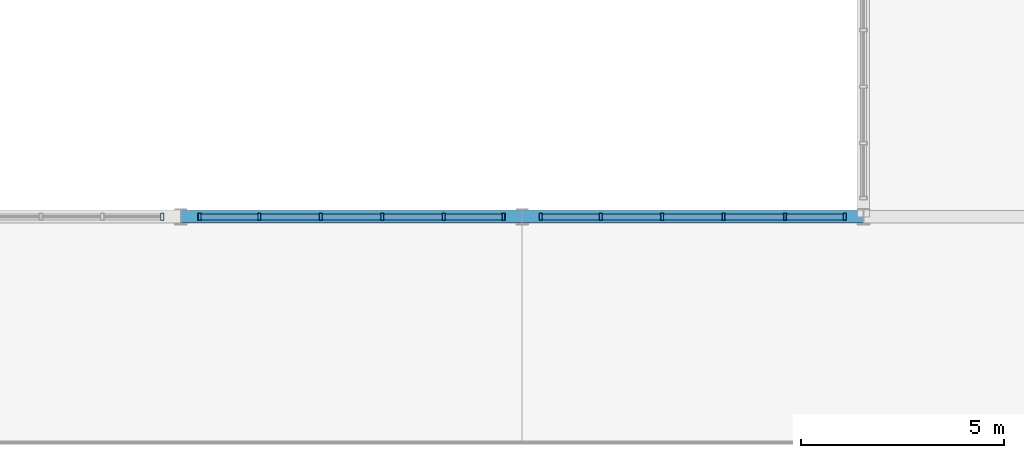
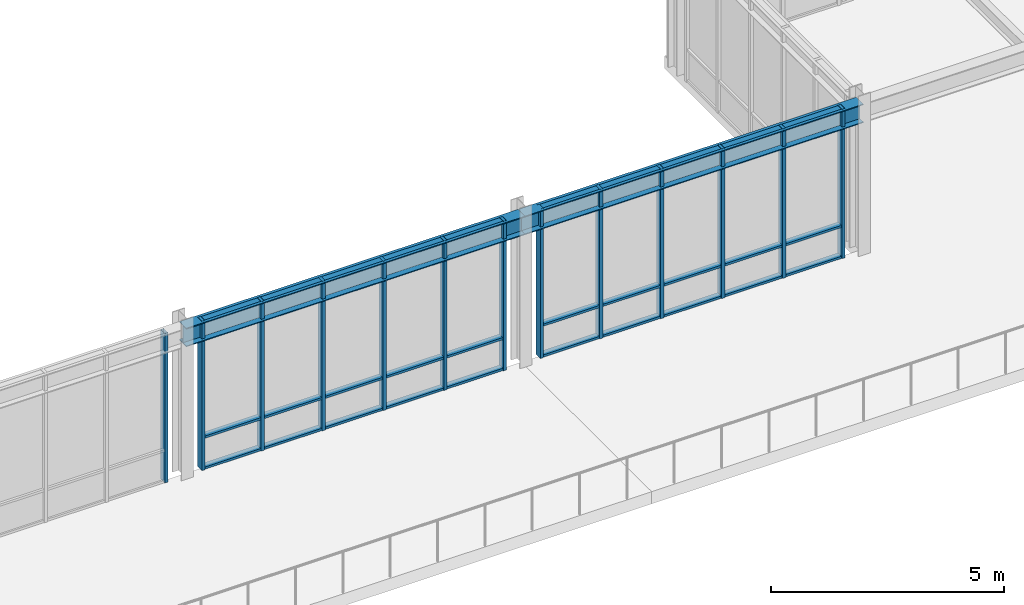
# One storey, part 49 of 127: 43 members, 2 beams, 3 elements without a shape of their own.
"""IFC4 building model written with IfcOpenShell, lengths in metres."""

from ifc_helpers import new_model, si_unit, direction, frame, origin, origin_2d, place, context, subcontext, project, spatial, hollow_rectangle, i_section, extrude, material, layer, layer_set, material_profile, profile_set, type_object, element, aggregate, save


model = new_model("IFC4")

# Units and contexts
model_context = context("Model", 3, precision=1e-05, world=origin(), true_north=direction((0.0, 1.0)))
body_context = subcontext(model_context, "Body", "Model", "MODEL_VIEW")
ifc_project = project(units=[si_unit("LENGTHUNIT", "METRE"), si_unit("AREAUNIT", "SQUARE_METRE"), si_unit("VOLUMEUNIT", "CUBIC_METRE"), si_unit("PLANEANGLEUNIT", "RADIAN"), si_unit("MASSUNIT", "GRAM", prefix="KILO")], contexts=[model_context])

# Site, building, storey
site_placement = place(None, origin())
site = spatial("IfcSite", under=ifc_project, at=site_placement, CompositionType="ELEMENT")
building_placement = place(site_placement, origin())
building = spatial("IfcBuilding", under=site, at=building_placement, Name="Zayran Congress Hotel", CompositionType="ELEMENT")
storey_placement = place(building_placement, frame((0.0, 0.0, 10.800048828125)))
storey = spatial("IfcBuildingStorey", under=building, at=storey_placement, Name="L02", CompositionType="ELEMENT", Elevation=10.800048828125)

# Beams
ifc_material_1 = material(Name="Steel S355", Category="steel")
ifc_material_profile_1 = material_profile(ifc_material_1, i_section(OverallWidth=0.300048828125, OverallDepth=0.489990234375, WebThickness=0.011962890625, FlangeThickness=0.02294921875, at=origin_2d()), Name="HEA 500")
ifc_profile_set_1 = profile_set([ifc_material_profile_1], Name="Steel S355")
beam_type = type_object("IfcBeamType", Name="TP-BM-05", PredefinedType="BEAM", material=ifc_profile_set_1)
beam_1_placement = place(storey_placement, frame((42.0, 109.60009765625, 3.675048828125), z_axis=(1.0, 0.0, 0.0), x_axis=(0.0, 1.0, 0.0)))
element("IfcBeam", 1, at=beam_1_placement, inside=storey, type_object=beam_type, Name="BM-V1-L02-0694", PredefinedType="BEAM", context=body_context, shape_type="SweptSolid", body=[
    extrude(i_section(OverallWidth=0.300048828125, OverallDepth=0.489990234375, WebThickness=0.011962890625, FlangeThickness=0.02294921875, at=origin_2d()), origin(), (0.0, 0.0, 1.0), 8.39990234375),
])
beam_2_placement = place(storey_placement, frame((50.39990234375, 109.60009765625, 3.675048828125), z_axis=(1.0, 0.0, 0.0), x_axis=(0.0, 1.0, 0.0)))
element("IfcBeam", 2, at=beam_2_placement, inside=storey, type_object=beam_type, Name="BM-V1-L02-0695", PredefinedType="BEAM", context=body_context, shape_type="SweptSolid", body=[
    extrude(i_section(OverallWidth=0.300048828125, OverallDepth=0.489990234375, WebThickness=0.011962890625, FlangeThickness=0.02294921875, at=origin_2d()), origin(), (0.0, 0.0, 1.0), 8.400146484375),
])

# Curtain wall, member
ifc_material_2 = material(Name="Anodised aluminium and low-E insulated glass", Category="aluminium")
ifc_layer_1 = layer(ifc_material_2, 0.179931640625)
ifc_layer_set_1 = layer_set([ifc_layer_1], Name="Anodised aluminium and low-E insulated glass")
curtain_wall_type_1 = type_object("IfcCurtainWallType", Name="CW-V1NF-L02-CW-21-7560-3920", PredefinedType="USERDEFINED", material=ifc_layer_set_1)
curtain_wall_1_placement = place(storey_placement, origin())
curtain_wall_1 = element("IfcCurtainWall", 3, at=curtain_wall_1_placement, inside=storey, type_object=curtain_wall_type_1, Name="CW-V1NF-L02-3", ObjectType="CURTAIN WALL", PredefinedType="USERDEFINED")
ifc_material_3 = material(Name="Anodised aluminium framing", Category="aluminium")
ifc_material_profile_2 = material_profile(ifc_material_3, hollow_rectangle(XDim=0.080078125, YDim=0.179931640625, WallThickness=0.0048828125, at=origin_2d()), Name="RHS 180x80x5")
ifc_profile_set_2 = profile_set([ifc_material_profile_2], Name="Anodised aluminium framing")
member_type_1 = type_object("IfcMemberType", Name="TP-CWM-01", PredefinedType="MULLION", material=ifc_profile_set_2)
member_1_placement = place(storey_placement, frame((41.5400390625, 109.60009765625, 0.0), z_axis=(0.0, 0.0, 1.0), x_axis=(1.0, 0.0, 0.0)))
member_1 = element("IfcMember", 4, at=member_1_placement, type_object=member_type_1, Name="CW-V1NF-L02-3-M00", PredefinedType="MULLION", context=body_context, shape_type="SweptSolid", body=[
    extrude(hollow_rectangle(XDim=0.080078125, YDim=0.179931640625, WallThickness=0.0048828125, at=origin_2d()), origin(), (0.0, 0.0, 1.0), 3.919921875),
])
aggregate(curtain_wall_1, [member_1])

# Curtain wall, members
ifc_layer_2 = layer(ifc_material_2, 0.179931640625)
ifc_layer_set_2 = layer_set([ifc_layer_2], Name="Anodised aluminium and low-E insulated glass")
curtain_wall_type_2 = type_object("IfcCurtainWallType", Name="CW-V1NF-L02-CW-22-7560-3920", PredefinedType="USERDEFINED", material=ifc_layer_set_2)
curtain_wall_2_placement = place(storey_placement, origin())
curtain_wall_2 = element("IfcCurtainWall", 5, at=curtain_wall_2_placement, inside=storey, type_object=curtain_wall_type_2, Name="CW-V1NF-L02-4", ObjectType="CURTAIN WALL", PredefinedType="USERDEFINED")
member_2_placement = place(storey_placement, frame((49.93994140625, 109.60009765625, 0.0), z_axis=(0.0, 0.0, 1.0), x_axis=(1.0, 0.0, 0.0)))
member_2 = element("IfcMember", 6, at=member_2_placement, type_object=member_type_1, Name="CW-V1NF-L02-4-M00", PredefinedType="MULLION", context=body_context, shape_type="SweptSolid", body=[
    extrude(hollow_rectangle(XDim=0.080078125, YDim=0.179931640625, WallThickness=0.0048828125, at=origin_2d()), origin(), (0.0, 0.0, 1.0), 3.919921875),
])
member_3_placement = place(storey_placement, frame((48.468017578125, 109.60009765625, 0.0), z_axis=(0.0, 0.0, 1.0), x_axis=(1.0, 0.0, 0.0)))
member_3 = element("IfcMember", 7, at=member_3_placement, type_object=member_type_1, Name="CW-V1NF-L02-4-M01", PredefinedType="MULLION", context=body_context, shape_type="SweptSolid", body=[
    extrude(hollow_rectangle(XDim=0.080078125, YDim=0.179931640625, WallThickness=0.0048828125, at=origin_2d()), origin(), (0.0, 0.0, 1.0), 3.919921875),
])
member_4_placement = place(storey_placement, frame((46.9560546875, 109.60009765625, 0.0), z_axis=(0.0, 0.0, 1.0), x_axis=(1.0, 0.0, 0.0)))
member_4 = element("IfcMember", 8, at=member_4_placement, type_object=member_type_1, Name="CW-V1NF-L02-4-M02", PredefinedType="MULLION", context=body_context, shape_type="SweptSolid", body=[
    extrude(hollow_rectangle(XDim=0.080078125, YDim=0.179931640625, WallThickness=0.0048828125, at=origin_2d()), origin(), (0.0, 0.0, 1.0), 3.919921875),
])
member_5_placement = place(storey_placement, frame((45.444091796875, 109.60009765625, 0.0), z_axis=(0.0, 0.0, 1.0), x_axis=(1.0, 0.0, 0.0)))
member_5 = element("IfcMember", 9, at=member_5_placement, type_object=member_type_1, Name="CW-V1NF-L02-4-M03", PredefinedType="MULLION", context=body_context, shape_type="SweptSolid", body=[
    extrude(hollow_rectangle(XDim=0.080078125, YDim=0.179931640625, WallThickness=0.0048828125, at=origin_2d()), origin(), (0.0, 0.0, 1.0), 3.919921875),
])
member_6_placement = place(storey_placement, frame((43.931884765625, 109.60009765625, 0.0), z_axis=(0.0, 0.0, 1.0), x_axis=(1.0, 0.0, 0.0)))
member_6 = element("IfcMember", 10, at=member_6_placement, type_object=member_type_1, Name="CW-V1NF-L02-4-M04", PredefinedType="MULLION", context=body_context, shape_type="SweptSolid", body=[
    extrude(hollow_rectangle(XDim=0.080078125, YDim=0.179931640625, WallThickness=0.0048828125, at=origin_2d()), origin(), (0.0, 0.0, 1.0), 3.919921875),
])
member_7_placement = place(storey_placement, frame((42.4599609375, 109.60009765625, 0.0), z_axis=(0.0, 0.0, 1.0), x_axis=(1.0, 0.0, 0.0)))
member_7 = element("IfcMember", 11, at=member_7_placement, type_object=member_type_1, Name="CW-V1NF-L02-4-M05", PredefinedType="MULLION", context=body_context, shape_type="SweptSolid", body=[
    extrude(hollow_rectangle(XDim=0.080078125, YDim=0.179931640625, WallThickness=0.0048828125, at=origin_2d()), origin(), (0.0, 0.0, 1.0), 3.919921875),
])

ifc_layer_3 = layer(ifc_material_2, 0.179931640625)
ifc_layer_set_3 = layer_set([ifc_layer_3], Name="Anodised aluminium and low-E insulated glass")
curtain_wall_type_3 = type_object("IfcCurtainWallType", Name="CW-V1NF-L02-CW-23-7560-3920", PredefinedType="USERDEFINED", material=ifc_layer_set_3)
curtain_wall_3_placement = place(storey_placement, origin())
curtain_wall_3 = element("IfcCurtainWall", 12, at=curtain_wall_3_placement, inside=storey, type_object=curtain_wall_type_3, Name="CW-V1NF-L02-5", ObjectType="CURTAIN WALL", PredefinedType="USERDEFINED")
member_8_placement = place(storey_placement, frame((58.340087890625, 109.60009765625, 0.0), z_axis=(0.0, 0.0, 1.0), x_axis=(1.0, 0.0, 0.0)))
member_8 = element("IfcMember", 13, at=member_8_placement, type_object=member_type_1, Name="CW-V1NF-L02-5-M00", PredefinedType="MULLION", context=body_context, shape_type="SweptSolid", body=[
    extrude(hollow_rectangle(XDim=0.080078125, YDim=0.179931640625, WallThickness=0.0048828125, at=origin_2d()), origin(), (0.0, 0.0, 1.0), 3.919921875),
])
member_9_placement = place(storey_placement, frame((56.867919921875, 109.60009765625, 0.0), z_axis=(0.0, 0.0, 1.0), x_axis=(1.0, 0.0, 0.0)))
member_9 = element("IfcMember", 14, at=member_9_placement, type_object=member_type_1, Name="CW-V1NF-L02-5-M01", PredefinedType="MULLION", context=body_context, shape_type="SweptSolid", body=[
    extrude(hollow_rectangle(XDim=0.080078125, YDim=0.179931640625, WallThickness=0.0048828125, at=origin_2d()), origin(), (0.0, 0.0, 1.0), 3.919921875),
])
member_10_placement = place(storey_placement, frame((55.35595703125, 109.60009765625, 0.0), z_axis=(0.0, 0.0, 1.0), x_axis=(1.0, 0.0, 0.0)))
member_10 = element("IfcMember", 15, at=member_10_placement, type_object=member_type_1, Name="CW-V1NF-L02-5-M02", PredefinedType="MULLION", context=body_context, shape_type="SweptSolid", body=[
    extrude(hollow_rectangle(XDim=0.080078125, YDim=0.179931640625, WallThickness=0.0048828125, at=origin_2d()), origin(), (0.0, 0.0, 1.0), 3.919921875),
])
member_11_placement = place(storey_placement, frame((53.843994140625, 109.60009765625, 0.0), z_axis=(0.0, 0.0, 1.0), x_axis=(1.0, 0.0, 0.0)))
member_11 = element("IfcMember", 16, at=member_11_placement, type_object=member_type_1, Name="CW-V1NF-L02-5-M03", PredefinedType="MULLION", context=body_context, shape_type="SweptSolid", body=[
    extrude(hollow_rectangle(XDim=0.080078125, YDim=0.179931640625, WallThickness=0.0048828125, at=origin_2d()), origin(), (0.0, 0.0, 1.0), 3.919921875),
])
member_12_placement = place(storey_placement, frame((52.33203125, 109.60009765625, 0.0), z_axis=(0.0, 0.0, 1.0), x_axis=(1.0, 0.0, 0.0)))
member_12 = element("IfcMember", 17, at=member_12_placement, type_object=member_type_1, Name="CW-V1NF-L02-5-M04", PredefinedType="MULLION", context=body_context, shape_type="SweptSolid", body=[
    extrude(hollow_rectangle(XDim=0.080078125, YDim=0.179931640625, WallThickness=0.0048828125, at=origin_2d()), origin(), (0.0, 0.0, 1.0), 3.919921875),
])
member_13_placement = place(storey_placement, frame((50.860107421875, 109.60009765625, 0.0), z_axis=(0.0, 0.0, 1.0), x_axis=(1.0, 0.0, 0.0)))
member_13 = element("IfcMember", 18, at=member_13_placement, type_object=member_type_1, Name="CW-V1NF-L02-5-M05", PredefinedType="MULLION", context=body_context, shape_type="SweptSolid", body=[
    extrude(hollow_rectangle(XDim=0.080078125, YDim=0.179931640625, WallThickness=0.0048828125, at=origin_2d()), origin(), (0.0, 0.0, 1.0), 3.919921875),
])

# Member
ifc_material_profile_3 = material_profile(ifc_material_3, hollow_rectangle(XDim=0.06005859375, YDim=0.14990234375, WallThickness=0.00390625, at=origin_2d()), Name="RHS 150x60x4")
ifc_profile_set_3 = profile_set([ifc_material_profile_3], Name="Anodised aluminium framing")
member_type_2 = type_object("IfcMemberType", Name="TP-CWT-01", PredefinedType="USERDEFINED", material=ifc_profile_set_3)
member_14_placement = place(storey_placement, frame((49.89990234375, 109.60009765625, 0.030029296875), z_axis=(-1.0, 0.0, 0.0), x_axis=(0.0, 0.0, 1.0)))
member_14 = element("IfcMember", 19, at=member_14_placement, type_object=member_type_2, Name="CW-V1NF-L02-4-T00-0", ObjectType="TRANSOM", PredefinedType="USERDEFINED", context=body_context, shape_type="SweptSolid", body=[
    extrude(hollow_rectangle(XDim=0.06005859375, YDim=0.14990234375, WallThickness=0.00390625, at=origin_2d()), origin(), (0.0, 0.0, 1.0), 1.391845703125),
])

member_15_placement = place(storey_placement, frame((49.89990234375, 109.60009765625, 0.83984375), z_axis=(-1.0, 0.0, 0.0), x_axis=(0.0, 0.0, 1.0)))
member_15 = element("IfcMember", 20, at=member_15_placement, type_object=member_type_2, Name="CW-V1NF-L02-4-T00-1", ObjectType="TRANSOM", PredefinedType="USERDEFINED", context=body_context, shape_type="SweptSolid", body=[
    extrude(hollow_rectangle(XDim=0.06005859375, YDim=0.14990234375, WallThickness=0.00390625, at=origin_2d()), origin(), (0.0, 0.0, 1.0), 1.391845703125),
])

member_16_placement = place(storey_placement, frame((49.89990234375, 109.60009765625, 3.889892578125), z_axis=(-1.0, 0.0, 0.0), x_axis=(0.0, 0.0, 1.0)))
member_16 = element("IfcMember", 21, at=member_16_placement, type_object=member_type_2, Name="CW-V1NF-L02-4-T00-2", ObjectType="TRANSOM", PredefinedType="USERDEFINED", context=body_context, shape_type="SweptSolid", body=[
    extrude(hollow_rectangle(XDim=0.06005859375, YDim=0.14990234375, WallThickness=0.00390625, at=origin_2d()), origin(), (0.0, 0.0, 1.0), 1.391845703125),
])

member_17_placement = place(storey_placement, frame((48.427978515625, 109.60009765625, 0.030029296875), z_axis=(-1.0, 0.0, 0.0), x_axis=(0.0, 0.0, 1.0)))
member_17 = element("IfcMember", 22, at=member_17_placement, type_object=member_type_2, Name="CW-V1NF-L02-4-T01-0", ObjectType="TRANSOM", PredefinedType="USERDEFINED", context=body_context, shape_type="SweptSolid", body=[
    extrude(hollow_rectangle(XDim=0.06005859375, YDim=0.14990234375, WallThickness=0.00390625, at=origin_2d()), origin(), (0.0, 0.0, 1.0), 1.431884765625),
])

member_18_placement = place(storey_placement, frame((48.427978515625, 109.60009765625, 0.83984375), z_axis=(-1.0, 0.0, 0.0), x_axis=(0.0, 0.0, 1.0)))
member_18 = element("IfcMember", 23, at=member_18_placement, type_object=member_type_2, Name="CW-V1NF-L02-4-T01-1", ObjectType="TRANSOM", PredefinedType="USERDEFINED", context=body_context, shape_type="SweptSolid", body=[
    extrude(hollow_rectangle(XDim=0.06005859375, YDim=0.14990234375, WallThickness=0.00390625, at=origin_2d()), origin(), (0.0, 0.0, 1.0), 1.431884765625),
])

member_19_placement = place(storey_placement, frame((48.427978515625, 109.60009765625, 3.889892578125), z_axis=(-1.0, 0.0, 0.0), x_axis=(0.0, 0.0, 1.0)))
member_19 = element("IfcMember", 24, at=member_19_placement, type_object=member_type_2, Name="CW-V1NF-L02-4-T01-2", ObjectType="TRANSOM", PredefinedType="USERDEFINED", context=body_context, shape_type="SweptSolid", body=[
    extrude(hollow_rectangle(XDim=0.06005859375, YDim=0.14990234375, WallThickness=0.00390625, at=origin_2d()), origin(), (0.0, 0.0, 1.0), 1.431884765625),
])

member_20_placement = place(storey_placement, frame((46.916015625, 109.60009765625, 0.030029296875), z_axis=(-1.0, 0.0, 0.0), x_axis=(0.0, 0.0, 1.0)))
member_20 = element("IfcMember", 25, at=member_20_placement, type_object=member_type_2, Name="CW-V1NF-L02-4-T02-0", ObjectType="TRANSOM", PredefinedType="USERDEFINED", context=body_context, shape_type="SweptSolid", body=[
    extrude(hollow_rectangle(XDim=0.06005859375, YDim=0.14990234375, WallThickness=0.00390625, at=origin_2d()), origin(), (0.0, 0.0, 1.0), 1.43212890625),
])

member_21_placement = place(storey_placement, frame((46.916015625, 109.60009765625, 0.83984375), z_axis=(-1.0, 0.0, 0.0), x_axis=(0.0, 0.0, 1.0)))
member_21 = element("IfcMember", 26, at=member_21_placement, type_object=member_type_2, Name="CW-V1NF-L02-4-T02-1", ObjectType="TRANSOM", PredefinedType="USERDEFINED", context=body_context, shape_type="SweptSolid", body=[
    extrude(hollow_rectangle(XDim=0.06005859375, YDim=0.14990234375, WallThickness=0.00390625, at=origin_2d()), origin(), (0.0, 0.0, 1.0), 1.43212890625),
])

member_22_placement = place(storey_placement, frame((46.916015625, 109.60009765625, 3.889892578125), z_axis=(-1.0, 0.0, 0.0), x_axis=(0.0, 0.0, 1.0)))
member_22 = element("IfcMember", 27, at=member_22_placement, type_object=member_type_2, Name="CW-V1NF-L02-4-T02-2", ObjectType="TRANSOM", PredefinedType="USERDEFINED", context=body_context, shape_type="SweptSolid", body=[
    extrude(hollow_rectangle(XDim=0.06005859375, YDim=0.14990234375, WallThickness=0.00390625, at=origin_2d()), origin(), (0.0, 0.0, 1.0), 1.43212890625),
])

member_23_placement = place(storey_placement, frame((45.404052734375, 109.60009765625, 0.030029296875), z_axis=(-1.0, 0.0, 0.0), x_axis=(0.0, 0.0, 1.0)))
member_23 = element("IfcMember", 28, at=member_23_placement, type_object=member_type_2, Name="CW-V1NF-L02-4-T03-0", ObjectType="TRANSOM", PredefinedType="USERDEFINED", context=body_context, shape_type="SweptSolid", body=[
    extrude(hollow_rectangle(XDim=0.06005859375, YDim=0.14990234375, WallThickness=0.00390625, at=origin_2d()), origin(), (0.0, 0.0, 1.0), 1.43212890625),
])

member_24_placement = place(storey_placement, frame((45.404052734375, 109.60009765625, 0.83984375), z_axis=(-1.0, 0.0, 0.0), x_axis=(0.0, 0.0, 1.0)))
member_24 = element("IfcMember", 29, at=member_24_placement, type_object=member_type_2, Name="CW-V1NF-L02-4-T03-1", ObjectType="TRANSOM", PredefinedType="USERDEFINED", context=body_context, shape_type="SweptSolid", body=[
    extrude(hollow_rectangle(XDim=0.06005859375, YDim=0.14990234375, WallThickness=0.00390625, at=origin_2d()), origin(), (0.0, 0.0, 1.0), 1.43212890625),
])

member_25_placement = place(storey_placement, frame((45.404052734375, 109.60009765625, 3.889892578125), z_axis=(-1.0, 0.0, 0.0), x_axis=(0.0, 0.0, 1.0)))
member_25 = element("IfcMember", 30, at=member_25_placement, type_object=member_type_2, Name="CW-V1NF-L02-4-T03-2", ObjectType="TRANSOM", PredefinedType="USERDEFINED", context=body_context, shape_type="SweptSolid", body=[
    extrude(hollow_rectangle(XDim=0.06005859375, YDim=0.14990234375, WallThickness=0.00390625, at=origin_2d()), origin(), (0.0, 0.0, 1.0), 1.43212890625),
])

member_26_placement = place(storey_placement, frame((43.89208984375, 109.60009765625, 0.030029296875), z_axis=(-1.0, 0.0, 0.0), x_axis=(0.0, 0.0, 1.0)))
member_26 = element("IfcMember", 31, at=member_26_placement, type_object=member_type_2, Name="CW-V1NF-L02-4-T04-0", ObjectType="TRANSOM", PredefinedType="USERDEFINED", context=body_context, shape_type="SweptSolid", body=[
    extrude(hollow_rectangle(XDim=0.06005859375, YDim=0.14990234375, WallThickness=0.00390625, at=origin_2d()), origin(), (0.0, 0.0, 1.0), 1.39208984375),
])

member_27_placement = place(storey_placement, frame((43.89208984375, 109.60009765625, 0.83984375), z_axis=(-1.0, 0.0, 0.0), x_axis=(0.0, 0.0, 1.0)))
member_27 = element("IfcMember", 32, at=member_27_placement, type_object=member_type_2, Name="CW-V1NF-L02-4-T04-1", ObjectType="TRANSOM", PredefinedType="USERDEFINED", context=body_context, shape_type="SweptSolid", body=[
    extrude(hollow_rectangle(XDim=0.06005859375, YDim=0.14990234375, WallThickness=0.00390625, at=origin_2d()), origin(), (0.0, 0.0, 1.0), 1.39208984375),
])

member_28_placement = place(storey_placement, frame((43.89208984375, 109.60009765625, 3.889892578125), z_axis=(-1.0, 0.0, 0.0), x_axis=(0.0, 0.0, 1.0)))
member_28 = element("IfcMember", 33, at=member_28_placement, type_object=member_type_2, Name="CW-V1NF-L02-4-T04-2", ObjectType="TRANSOM", PredefinedType="USERDEFINED", context=body_context, shape_type="SweptSolid", body=[
    extrude(hollow_rectangle(XDim=0.06005859375, YDim=0.14990234375, WallThickness=0.00390625, at=origin_2d()), origin(), (0.0, 0.0, 1.0), 1.39208984375),
])

aggregate(curtain_wall_2, [member_2, member_3, member_4, member_5, member_6, member_7, member_14, member_15, member_16, member_17, member_18, member_19, member_20, member_21, member_22, member_23, member_24, member_25, member_26, member_27, member_28])

member_29_placement = place(storey_placement, frame((58.300048828125, 109.60009765625, 0.030029296875), z_axis=(-1.0, 0.0, 0.0), x_axis=(0.0, 0.0, 1.0)))
member_29 = element("IfcMember", 34, at=member_29_placement, type_object=member_type_2, Name="CW-V1NF-L02-5-T00-0", ObjectType="TRANSOM", PredefinedType="USERDEFINED", context=body_context, shape_type="SweptSolid", body=[
    extrude(hollow_rectangle(XDim=0.06005859375, YDim=0.14990234375, WallThickness=0.00390625, at=origin_2d()), origin(), (0.0, 0.0, 1.0), 1.39208984375),
])

member_30_placement = place(storey_placement, frame((58.300048828125, 109.60009765625, 0.83984375), z_axis=(-1.0, 0.0, 0.0), x_axis=(0.0, 0.0, 1.0)))
member_30 = element("IfcMember", 35, at=member_30_placement, type_object=member_type_2, Name="CW-V1NF-L02-5-T00-1", ObjectType="TRANSOM", PredefinedType="USERDEFINED", context=body_context, shape_type="SweptSolid", body=[
    extrude(hollow_rectangle(XDim=0.06005859375, YDim=0.14990234375, WallThickness=0.00390625, at=origin_2d()), origin(), (0.0, 0.0, 1.0), 1.39208984375),
])

member_31_placement = place(storey_placement, frame((58.300048828125, 109.60009765625, 3.889892578125), z_axis=(-1.0, 0.0, 0.0), x_axis=(0.0, 0.0, 1.0)))
member_31 = element("IfcMember", 36, at=member_31_placement, type_object=member_type_2, Name="CW-V1NF-L02-5-T00-2", ObjectType="TRANSOM", PredefinedType="USERDEFINED", context=body_context, shape_type="SweptSolid", body=[
    extrude(hollow_rectangle(XDim=0.06005859375, YDim=0.14990234375, WallThickness=0.00390625, at=origin_2d()), origin(), (0.0, 0.0, 1.0), 1.39208984375),
])

member_32_placement = place(storey_placement, frame((56.827880859375, 109.60009765625, 0.030029296875), z_axis=(-1.0, 0.0, 0.0), x_axis=(0.0, 0.0, 1.0)))
member_32 = element("IfcMember", 37, at=member_32_placement, type_object=member_type_2, Name="CW-V1NF-L02-5-T01-0", ObjectType="TRANSOM", PredefinedType="USERDEFINED", context=body_context, shape_type="SweptSolid", body=[
    extrude(hollow_rectangle(XDim=0.06005859375, YDim=0.14990234375, WallThickness=0.00390625, at=origin_2d()), origin(), (0.0, 0.0, 1.0), 1.431884765625),
])

member_33_placement = place(storey_placement, frame((56.827880859375, 109.60009765625, 0.83984375), z_axis=(-1.0, 0.0, 0.0), x_axis=(0.0, 0.0, 1.0)))
member_33 = element("IfcMember", 38, at=member_33_placement, type_object=member_type_2, Name="CW-V1NF-L02-5-T01-1", ObjectType="TRANSOM", PredefinedType="USERDEFINED", context=body_context, shape_type="SweptSolid", body=[
    extrude(hollow_rectangle(XDim=0.06005859375, YDim=0.14990234375, WallThickness=0.00390625, at=origin_2d()), origin(), (0.0, 0.0, 1.0), 1.431884765625),
])

member_34_placement = place(storey_placement, frame((56.827880859375, 109.60009765625, 3.889892578125), z_axis=(-1.0, 0.0, 0.0), x_axis=(0.0, 0.0, 1.0)))
member_34 = element("IfcMember", 39, at=member_34_placement, type_object=member_type_2, Name="CW-V1NF-L02-5-T01-2", ObjectType="TRANSOM", PredefinedType="USERDEFINED", context=body_context, shape_type="SweptSolid", body=[
    extrude(hollow_rectangle(XDim=0.06005859375, YDim=0.14990234375, WallThickness=0.00390625, at=origin_2d()), origin(), (0.0, 0.0, 1.0), 1.431884765625),
])

member_35_placement = place(storey_placement, frame((55.31591796875, 109.60009765625, 0.030029296875), z_axis=(-1.0, 0.0, 0.0), x_axis=(0.0, 0.0, 1.0)))
member_35 = element("IfcMember", 40, at=member_35_placement, type_object=member_type_2, Name="CW-V1NF-L02-5-T02-0", ObjectType="TRANSOM", PredefinedType="USERDEFINED", context=body_context, shape_type="SweptSolid", body=[
    extrude(hollow_rectangle(XDim=0.06005859375, YDim=0.14990234375, WallThickness=0.00390625, at=origin_2d()), origin(), (0.0, 0.0, 1.0), 1.431884765625),
])

member_36_placement = place(storey_placement, frame((55.31591796875, 109.60009765625, 0.83984375), z_axis=(-1.0, 0.0, 0.0), x_axis=(0.0, 0.0, 1.0)))
member_36 = element("IfcMember", 41, at=member_36_placement, type_object=member_type_2, Name="CW-V1NF-L02-5-T02-1", ObjectType="TRANSOM", PredefinedType="USERDEFINED", context=body_context, shape_type="SweptSolid", body=[
    extrude(hollow_rectangle(XDim=0.06005859375, YDim=0.14990234375, WallThickness=0.00390625, at=origin_2d()), origin(), (0.0, 0.0, 1.0), 1.431884765625),
])

member_37_placement = place(storey_placement, frame((55.31591796875, 109.60009765625, 3.889892578125), z_axis=(-1.0, 0.0, 0.0), x_axis=(0.0, 0.0, 1.0)))
member_37 = element("IfcMember", 42, at=member_37_placement, type_object=member_type_2, Name="CW-V1NF-L02-5-T02-2", ObjectType="TRANSOM", PredefinedType="USERDEFINED", context=body_context, shape_type="SweptSolid", body=[
    extrude(hollow_rectangle(XDim=0.06005859375, YDim=0.14990234375, WallThickness=0.00390625, at=origin_2d()), origin(), (0.0, 0.0, 1.0), 1.431884765625),
])

member_38_placement = place(storey_placement, frame((53.803955078125, 109.60009765625, 0.030029296875), z_axis=(-1.0, 0.0, 0.0), x_axis=(0.0, 0.0, 1.0)))
member_38 = element("IfcMember", 43, at=member_38_placement, type_object=member_type_2, Name="CW-V1NF-L02-5-T03-0", ObjectType="TRANSOM", PredefinedType="USERDEFINED", context=body_context, shape_type="SweptSolid", body=[
    extrude(hollow_rectangle(XDim=0.06005859375, YDim=0.14990234375, WallThickness=0.00390625, at=origin_2d()), origin(), (0.0, 0.0, 1.0), 1.431884765625),
])

member_39_placement = place(storey_placement, frame((53.803955078125, 109.60009765625, 0.83984375), z_axis=(-1.0, 0.0, 0.0), x_axis=(0.0, 0.0, 1.0)))
member_39 = element("IfcMember", 44, at=member_39_placement, type_object=member_type_2, Name="CW-V1NF-L02-5-T03-1", ObjectType="TRANSOM", PredefinedType="USERDEFINED", context=body_context, shape_type="SweptSolid", body=[
    extrude(hollow_rectangle(XDim=0.06005859375, YDim=0.14990234375, WallThickness=0.00390625, at=origin_2d()), origin(), (0.0, 0.0, 1.0), 1.431884765625),
])

member_40_placement = place(storey_placement, frame((53.803955078125, 109.60009765625, 3.889892578125), z_axis=(-1.0, 0.0, 0.0), x_axis=(0.0, 0.0, 1.0)))
member_40 = element("IfcMember", 45, at=member_40_placement, type_object=member_type_2, Name="CW-V1NF-L02-5-T03-2", ObjectType="TRANSOM", PredefinedType="USERDEFINED", context=body_context, shape_type="SweptSolid", body=[
    extrude(hollow_rectangle(XDim=0.06005859375, YDim=0.14990234375, WallThickness=0.00390625, at=origin_2d()), origin(), (0.0, 0.0, 1.0), 1.431884765625),
])

member_41_placement = place(storey_placement, frame((52.2919921875, 109.60009765625, 0.030029296875), z_axis=(-1.0, 0.0, 0.0), x_axis=(0.0, 0.0, 1.0)))
member_41 = element("IfcMember", 46, at=member_41_placement, type_object=member_type_2, Name="CW-V1NF-L02-5-T04-0", ObjectType="TRANSOM", PredefinedType="USERDEFINED", context=body_context, shape_type="SweptSolid", body=[
    extrude(hollow_rectangle(XDim=0.06005859375, YDim=0.14990234375, WallThickness=0.00390625, at=origin_2d()), origin(), (0.0, 0.0, 1.0), 1.39208984375),
])

member_42_placement = place(storey_placement, frame((52.2919921875, 109.60009765625, 0.83984375), z_axis=(-1.0, 0.0, 0.0), x_axis=(0.0, 0.0, 1.0)))
member_42 = element("IfcMember", 47, at=member_42_placement, type_object=member_type_2, Name="CW-V1NF-L02-5-T04-1", ObjectType="TRANSOM", PredefinedType="USERDEFINED", context=body_context, shape_type="SweptSolid", body=[
    extrude(hollow_rectangle(XDim=0.06005859375, YDim=0.14990234375, WallThickness=0.00390625, at=origin_2d()), origin(), (0.0, 0.0, 1.0), 1.39208984375),
])

member_43_placement = place(storey_placement, frame((52.2919921875, 109.60009765625, 3.889892578125), z_axis=(-1.0, 0.0, 0.0), x_axis=(0.0, 0.0, 1.0)))
member_43 = element("IfcMember", 48, at=member_43_placement, type_object=member_type_2, Name="CW-V1NF-L02-5-T04-2", ObjectType="TRANSOM", PredefinedType="USERDEFINED", context=body_context, shape_type="SweptSolid", body=[
    extrude(hollow_rectangle(XDim=0.06005859375, YDim=0.14990234375, WallThickness=0.00390625, at=origin_2d()), origin(), (0.0, 0.0, 1.0), 1.39208984375),
])

aggregate(curtain_wall_3, [member_8, member_9, member_10, member_11, member_12, member_13, member_29, member_30, member_31, member_32, member_33, member_34, member_35, member_36, member_37, member_38, member_39, member_40, member_41, member_42, member_43])

save(model, "model.ifc")
